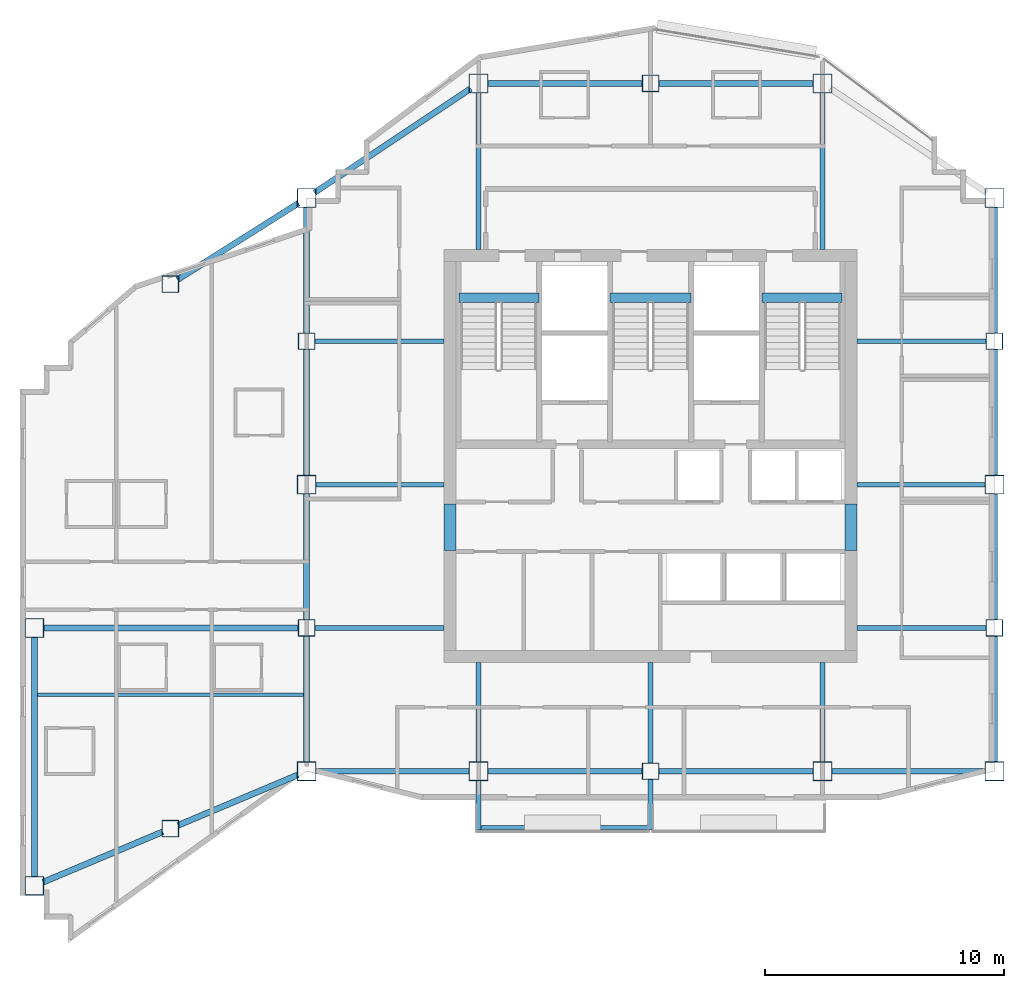
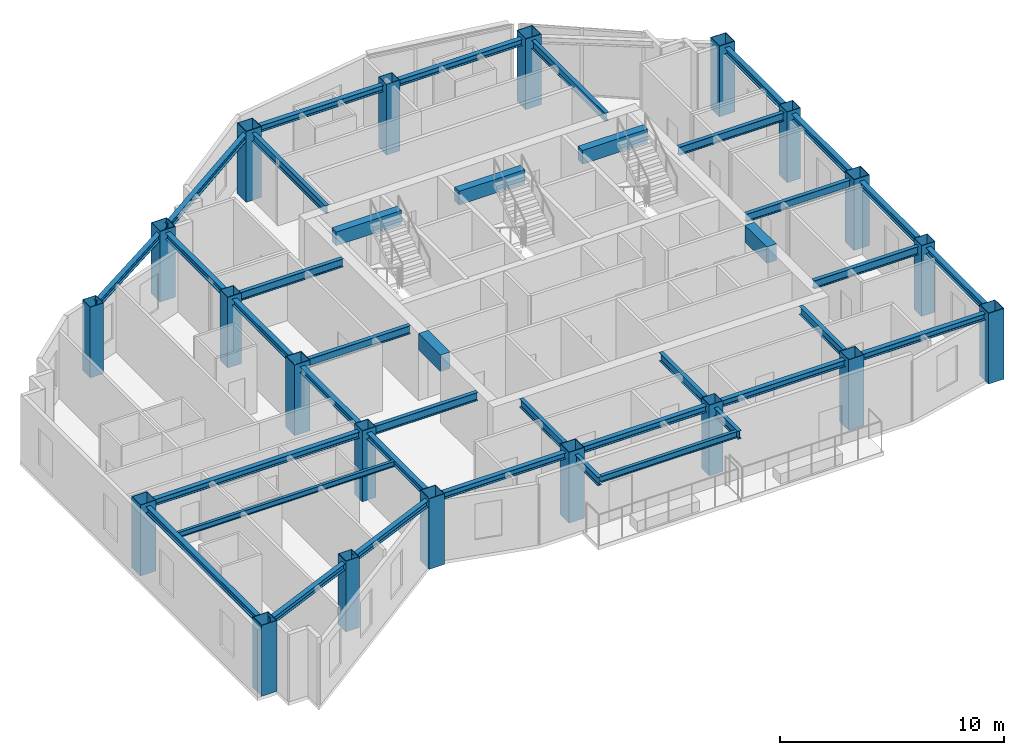
# One storey, part 1 of 11: 40 beams, 20 columns.
"""IFC4 building model written with IfcOpenShell, lengths in metres."""

from ifc_helpers import new_model, si_unit, direction, frame, origin, origin_2d, place, context, subcontext, project, spatial, rectangle, hollow_rectangle, i_section, extrude, material, material_profile, profile_set, type_object, element, save


model = new_model("IFC4")

# Units and contexts
model_context = context("Model", 3, precision=1e-05, world=origin(), true_north=direction((0.0, 1.0)))
body_context = subcontext(model_context, "Body", "Model", "MODEL_VIEW")
ifc_project = project(units=[si_unit("LENGTHUNIT", "METRE"), si_unit("AREAUNIT", "SQUARE_METRE"), si_unit("VOLUMEUNIT", "CUBIC_METRE"), si_unit("PLANEANGLEUNIT", "RADIAN"), si_unit("MASSUNIT", "GRAM", prefix="KILO")], contexts=[model_context])

# Site, building, storey
site_placement = place(None, origin())
site = spatial("IfcSite", under=ifc_project, at=site_placement, CompositionType="ELEMENT")
building_placement = place(site_placement, origin())
building = spatial("IfcBuilding", under=site, at=building_placement, Name="Haolan Belvedere Tower", CompositionType="ELEMENT")
storey_placement = place(building_placement, frame((0.0, 0.0, 250.60009765625)))
storey = spatial("IfcBuildingStorey", under=building, at=storey_placement, Name="L63", CompositionType="ELEMENT", Elevation=250.60009765625)

# Columns
ifc_material_1 = material(Name="Steel Q390GJC", Category="steel")
ifc_material_profile_1 = material_profile(ifc_material_1, hollow_rectangle(XDim=0.699951171875, YDim=0.699951171875, WallThickness=0.02587890625, at=origin_2d()), Name="Steel Q390GJC")
ifc_profile_set_1 = profile_set([ifc_material_profile_1], Name="Steel Q390GJC")
column_type_1 = type_object("IfcColumnType", Name="COL-BOX700x700x26", PredefinedType="COLUMN", material=ifc_profile_set_1)
for number, where, z_axis, x_axis, name in (
    (1, (24.0, 27.60009765625, 0.0), (0.0, 0.0, 1.0), (1.0, 0.0, 0.0), "L63 column TC-T3-W1 (BOX700x700x26)"),
    (2, (24.0, 39.60009765625, 0.0), (0.0, 0.0, 1.0), (1.0, 0.0, 0.0), "L63 column TC-T3-W2 (BOX700x700x26)"),
    (3, (52.800048828125, 27.60009765625, 0.0), (0.0, 0.0, 1.0), (1.0, 0.0, 0.0), "L63 column TC-T3-E1 (BOX700x700x26)"),
    (4, (52.800048828125, 39.60009765625, 0.0), (0.0, 0.0, 1.0), (1.0, 0.0, 0.0), "L63 column TC-T3-E2 (BOX700x700x26)"),
    (5, (38.39990234375, 21.60009765625, 0.0), (0.0, 0.0, 1.0), (1.0, 0.0, 0.0), "L63 column TC-T3-SM (BOX700x700x26)"),
    (6, (38.39990234375, 50.39990234375, 0.0), (0.0, 0.0, 1.0), (1.0, 0.0, 0.0), "L63 column TC-T3-NM (BOX700x700x26)"),
    (7, (18.300048828125, 19.199951171875, 0.0), (0.0, 0.0, 1.0), (1.0, 0.0, 0.0), "L63 column TC-T2-S1 (BOX700x700x26)"),
    (8, (18.300048828125, 42.0, 0.0), (0.0, 0.0, 1.0), (1.0, 0.0, 0.0), "L63 column TC-T2-N1 (BOX700x700x26)"),
):
    element("IfcColumn", number, at=place(storey_placement, frame(where, z_axis=z_axis, x_axis=x_axis)), inside=storey, type_object=column_type_1, Name=name, PredefinedType="COLUMN", context=body_context, shape_type="SweptSolid", body=[
        extrude(hollow_rectangle(XDim=0.699951171875, YDim=0.699951171875, WallThickness=0.02587890625, at=origin_2d()), origin(), (0.0, 0.0, 1.0), 3.849853515625),
    ])
ifc_material_profile_2 = material_profile(ifc_material_1, hollow_rectangle(XDim=0.800048828125, YDim=0.800048828125, WallThickness=0.030029296875, at=origin_2d()), Name="Steel Q390GJC")
ifc_profile_set_2 = profile_set([ifc_material_profile_2], Name="Steel Q390GJC")
column_type_2 = type_object("IfcColumnType", Name="COL-BOX800x800x30", PredefinedType="COLUMN", material=ifc_profile_set_2)
for number, where, z_axis, x_axis, name in (
    (9, (24.0, 21.60009765625, 0.0), (0.0, 0.0, 1.0), (1.0, 0.0, 0.0), "L63 column MC-T3-SW (BOX800x800x30)"),
    (10, (24.0, 33.60009765625, 0.0), (0.0, 0.0, 1.0), (1.0, 0.0, 0.0), "L63 column MC-T3-MW (BOX800x800x30)"),
    (11, (24.0, 45.60009765625, 0.0), (0.0, 0.0, 1.0), (1.0, 0.0, 0.0), "L63 column MC-T3-NW (BOX800x800x30)"),
    (12, (52.800048828125, 21.60009765625, 0.0), (0.0, 0.0, 1.0), (1.0, 0.0, 0.0), "L63 column MC-T3-SE (BOX800x800x30)"),
    (13, (52.800048828125, 33.60009765625, 0.0), (0.0, 0.0, 1.0), (1.0, 0.0, 0.0), "L63 column MC-T3-ME (BOX800x800x30)"),
    (14, (52.800048828125, 45.60009765625, 0.0), (0.0, 0.0, 1.0), (1.0, 0.0, 0.0), "L63 column MC-T3-NE (BOX800x800x30)"),
    (15, (31.199951171875, 21.60009765625, 0.0), (0.0, 0.0, 1.0), (1.0, 0.0, 0.0), "L63 column MC-T3-S1 (BOX800x800x30)"),
    (16, (45.60009765625, 21.60009765625, 0.0), (0.0, 0.0, 1.0), (1.0, 0.0, 0.0), "L63 column MC-T3-S2 (BOX800x800x30)"),
    (17, (31.199951171875, 50.39990234375, 0.0), (0.0, 0.0, 1.0), (1.0, 0.0, 0.0), "L63 column MC-T3-N1 (BOX800x800x30)"),
    (18, (45.60009765625, 50.39990234375, 0.0), (0.0, 0.0, 1.0), (1.0, 0.0, 0.0), "L63 column MC-T3-N2 (BOX800x800x30)"),
    (19, (12.60009765625, 16.800048828125, 0.0), (0.0, 0.0, 1.0), (1.0, 0.0, 0.0), "L63 column MC-T2-SW (BOX800x800x30)"),
    (20, (12.60009765625, 27.60009765625, 0.0), (0.0, 0.0, 1.0), (1.0, 0.0, 0.0), "L63 column MC-T2-MW (BOX800x800x30)"),
):
    element("IfcColumn", number, at=place(storey_placement, frame(where, z_axis=z_axis, x_axis=x_axis)), inside=storey, type_object=column_type_2, Name=name, PredefinedType="COLUMN", context=body_context, shape_type="SweptSolid", body=[
        extrude(hollow_rectangle(XDim=0.800048828125, YDim=0.800048828125, WallThickness=0.030029296875, at=origin_2d()), origin(), (0.0, 0.0, 1.0), 3.849853515625),
    ])

# Beams
ifc_material_2 = material(Name="Steel Q355B", Category="steel")
ifc_material_profile_3 = material_profile(ifc_material_2, i_section(OverallWidth=0.25, OverallDepth=0.340087890625, WebThickness=0.009033203125, FlangeThickness=0.013916015625, FilletRadius=0.02001953125, at=origin_2d()), Name="Steel Q355B")
ifc_profile_set_3 = profile_set([ifc_material_profile_3], Name="Steel Q355B")
beam_type_1 = type_object("IfcBeamType", Name="BM-HM340x250x9x14", PredefinedType="SPANDREL", material=ifc_profile_set_3)
for number, where, z_axis, x_axis, name in (
    (21, (24.0, 22.0, 3.5), (0.0, 1.0, 0.0), (-1.0, 0.0, 0.0), "L63 spandrel girder MC-T3-SW-TC-T3-W1"),
    (22, (24.0, 27.949951171875, 3.5), (0.0, 1.0, 0.0), (-1.0, 0.0, 0.0), "L63 spandrel girder TC-T3-W1-MC-T3-MW"),
    (23, (24.0, 34.0, 3.5), (0.0, 1.0, 0.0), (-1.0, 0.0, 0.0), "L63 spandrel girder MC-T3-MW-TC-T3-W2"),
    (24, (24.0, 39.949951171875, 3.5), (0.0, 1.0, 0.0), (-1.0, 0.0, 0.0), "L63 spandrel girder TC-T3-W2-MC-T3-NW"),
    (25, (52.800048828125, 22.0, 3.5), (0.0, 1.0, 0.0), (-1.0, 0.0, 0.0), "L63 spandrel girder MC-T3-SE-TC-T3-E1"),
    (26, (52.800048828125, 27.949951171875, 3.5), (0.0, 1.0, 0.0), (-1.0, 0.0, 0.0), "L63 spandrel girder TC-T3-E1-MC-T3-ME"),
    (27, (52.800048828125, 34.0, 3.5), (0.0, 1.0, 0.0), (-1.0, 0.0, 0.0), "L63 spandrel girder MC-T3-ME-TC-T3-E2"),
    (28, (52.800048828125, 39.949951171875, 3.5), (0.0, 1.0, 0.0), (-1.0, 0.0, 0.0), "L63 spandrel girder TC-T3-E2-MC-T3-NE"),
):
    element("IfcBeam", number, at=place(storey_placement, frame(where, z_axis=z_axis, x_axis=x_axis)), inside=storey, type_object=beam_type_1, Name=name, PredefinedType="SPANDREL", context=body_context, shape_type="SweptSolid", body=[
        extrude(i_section(OverallWidth=0.25, OverallDepth=0.340087890625, WebThickness=0.009033203125, FlangeThickness=0.013916015625, FilletRadius=0.02001953125, at=origin_2d()), origin(), (0.0, 0.0, 1.0), 5.25),
    ])
beam_1_placement = place(storey_placement, frame((24.39990234375, 21.60009765625, 3.5), z_axis=(1.0, 0.0, 0.0), x_axis=(0.0, 1.0, 0.0)))
element("IfcBeam", 29, at=beam_1_placement, inside=storey, type_object=beam_type_1, Name="L63 spandrel girder MC-T3-SW-MC-T3-S1", PredefinedType="SPANDREL", context=body_context, shape_type="SweptSolid", body=[
    extrude(i_section(OverallWidth=0.25, OverallDepth=0.340087890625, WebThickness=0.009033203125, FlangeThickness=0.013916015625, FilletRadius=0.02001953125, at=origin_2d()), origin(), (0.0, 0.0, 1.0), 6.400146484375),
])
for number, where, z_axis, x_axis, name in (
    (30, (31.60009765625, 21.60009765625, 3.5), (1.0, 0.0, 0.0), (0.0, 1.0, 0.0), "L63 spandrel girder MC-T3-S1-TC-T3-SM"),
    (31, (38.75, 21.60009765625, 3.5), (1.0, 0.0, 0.0), (0.0, 1.0, 0.0), "L63 spandrel girder TC-T3-SM-MC-T3-S2"),
):
    element("IfcBeam", number, at=place(storey_placement, frame(where, z_axis=z_axis, x_axis=x_axis)), inside=storey, type_object=beam_type_1, Name=name, PredefinedType="SPANDREL", context=body_context, shape_type="SweptSolid", body=[
        extrude(i_section(OverallWidth=0.25, OverallDepth=0.340087890625, WebThickness=0.009033203125, FlangeThickness=0.013916015625, FilletRadius=0.02001953125, at=origin_2d()), origin(), (0.0, 0.0, 1.0), 6.449951171875),
    ])
beam_2_placement = place(storey_placement, frame((46.0, 21.60009765625, 3.5), z_axis=(1.0, 0.0, 0.0), x_axis=(0.0, 1.0, 0.0)))
element("IfcBeam", 32, at=beam_2_placement, inside=storey, type_object=beam_type_1, Name="L63 spandrel girder MC-T3-S2-MC-T3-SE", PredefinedType="SPANDREL", context=body_context, shape_type="SweptSolid", body=[
    extrude(i_section(OverallWidth=0.25, OverallDepth=0.340087890625, WebThickness=0.009033203125, FlangeThickness=0.013916015625, FilletRadius=0.02001953125, at=origin_2d()), origin(), (0.0, 0.0, 1.0), 6.39990234375),
])
beam_3_placement = place(storey_placement, frame((24.332763671875, 45.82177734375, 3.5), z_axis=(0.832040729016, 0.55471454394, 0.0), x_axis=(-0.55471454394, 0.832040729016, 0.0)))
element("IfcBeam", 33, at=beam_3_placement, inside=storey, type_object=beam_type_1, Name="L63 spandrel girder MC-T3-NW-MC-T3-N1", PredefinedType="SPANDREL", context=body_context, shape_type="SweptSolid", body=[
    extrude(i_section(OverallWidth=0.25, OverallDepth=0.340087890625, WebThickness=0.009033203125, FlangeThickness=0.013916015625, FilletRadius=0.02001953125, at=origin_2d()), origin(), (0.0, 0.0, 1.0), 7.853515625),
])
for number, where, z_axis, x_axis, name in (
    (34, (31.60009765625, 50.39990234375, 3.5), (1.0, 0.0, 0.0), (0.0, 1.0, 0.0), "L63 spandrel girder MC-T3-N1-TC-T3-NM"),
    (35, (38.75, 50.39990234375, 3.5), (1.0, 0.0, 0.0), (0.0, 1.0, 0.0), "L63 spandrel girder TC-T3-NM-MC-T3-N2"),
):
    element("IfcBeam", number, at=place(storey_placement, frame(where, z_axis=z_axis, x_axis=x_axis)), inside=storey, type_object=beam_type_1, Name=name, PredefinedType="SPANDREL", context=body_context, shape_type="SweptSolid", body=[
        extrude(i_section(OverallWidth=0.25, OverallDepth=0.340087890625, WebThickness=0.009033203125, FlangeThickness=0.013916015625, FilletRadius=0.02001953125, at=origin_2d()), origin(), (0.0, 0.0, 1.0), 6.449951171875),
    ])
beam_4_placement = place(storey_placement, frame((12.60009765625, 17.199951171875, 3.5), z_axis=(0.0, 1.0, 0.0), x_axis=(-1.0, 0.0, 0.0)))
element("IfcBeam", 36, at=beam_4_placement, inside=storey, type_object=beam_type_1, Name="L63 spandrel girder MC-T2-SW-MC-T2-MW", PredefinedType="SPANDREL", context=body_context, shape_type="SweptSolid", body=[
    extrude(i_section(OverallWidth=0.25, OverallDepth=0.340087890625, WebThickness=0.009033203125, FlangeThickness=0.013916015625, FilletRadius=0.02001953125, at=origin_2d()), origin(), (0.0, 0.0, 1.0), 10.0),
])
for number, where, z_axis, x_axis, name in (
    (37, (12.96875, 16.955322265625, 3.5), (0.921640448717, 0.388044950088, 0.0), (-0.388044950088, 0.921640448717, 0.0), "L63 spandrel girder MC-T2-SW-TC-T2-S1"),
    (38, (18.62255859375, 19.3359375, 3.5), (0.921640448717, 0.388044950088, 0.0), (-0.388044950088, 0.921640448717, 0.0), "L63 spandrel girder TC-T2-S1-MC-T3-SW"),
):
    element("IfcBeam", number, at=place(storey_placement, frame(where, z_axis=z_axis, x_axis=x_axis)), inside=storey, type_object=beam_type_1, Name=name, PredefinedType="SPANDREL", context=body_context, shape_type="SweptSolid", body=[
        extrude(i_section(OverallWidth=0.25, OverallDepth=0.340087890625, WebThickness=0.009033203125, FlangeThickness=0.013916015625, FilletRadius=0.02001953125, at=origin_2d()), origin(), (0.0, 0.0, 1.0), 5.4345703125),
    ])
beam_5_placement = place(storey_placement, frame((18.595947265625, 42.18701171875, 3.5), z_axis=(0.845493744187, 0.533985326148, 0.0), x_axis=(-0.533985326148, 0.845493744187, 0.0)))
element("IfcBeam", 39, at=beam_5_placement, inside=storey, type_object=beam_type_1, Name="L63 spandrel girder TC-T2-N1-MC-T3-NW", PredefinedType="SPANDREL", context=body_context, shape_type="SweptSolid", body=[
    extrude(i_section(OverallWidth=0.25, OverallDepth=0.340087890625, WebThickness=0.009033203125, FlangeThickness=0.013916015625, FilletRadius=0.02001953125, at=origin_2d()), origin(), (0.0, 0.0, 1.0), 5.99169921875),
])
beam_6_placement = place(storey_placement, frame((13.0, 27.60009765625, 3.5), z_axis=(1.0, 0.0, 0.0), x_axis=(0.0, 1.0, 0.0)))
element("IfcBeam", 40, at=beam_6_placement, inside=storey, type_object=beam_type_1, Name="L63 spandrel girder MC-T2-MW-TC-T3-W1", PredefinedType="SPANDREL", context=body_context, shape_type="SweptSolid", body=[
    extrude(i_section(OverallWidth=0.25, OverallDepth=0.340087890625, WebThickness=0.009033203125, FlangeThickness=0.013916015625, FilletRadius=0.02001953125, at=origin_2d()), origin(), (0.0, 0.0, 1.0), 10.64990234375),
])
ifc_material_profile_4 = material_profile(ifc_material_2, i_section(OverallWidth=0.14990234375, OverallDepth=0.300048828125, WebThickness=0.006591796875, FlangeThickness=0.009033203125, FilletRadius=0.012939453125, at=origin_2d()), Name="Steel Q355B")
ifc_profile_set_4 = profile_set([ifc_material_profile_4], Name="Steel Q355B")
beam_type_2 = type_object("IfcBeamType", Name="BM-HN300x150x6.5x9", PredefinedType="JOIST", material=ifc_profile_set_4)
beam_7_placement = place(storey_placement, frame((12.72509765625, 24.800048828125, 3.52001953125), z_axis=(1.0, 0.0, 0.0), x_axis=(0.0, 1.0, 0.0)))
element("IfcBeam", 41, at=beam_7_placement, inside=storey, type_object=beam_type_2, Name="L63 west wing floor joist 1", PredefinedType="JOIST", context=body_context, shape_type="SweptSolid", body=[
    extrude(i_section(OverallWidth=0.14990234375, OverallDepth=0.300048828125, WebThickness=0.006591796875, FlangeThickness=0.009033203125, FilletRadius=0.012939453125, at=origin_2d()), origin(), (0.0, 0.0, 1.0), 11.14990234375),
])
ifc_material_profile_5 = material_profile(ifc_material_2, i_section(OverallWidth=0.175048828125, OverallDepth=0.35009765625, WebThickness=0.007080078125, FlangeThickness=0.010986328125, FilletRadius=0.012939453125, at=origin_2d()), Name="Steel Q355B")
ifc_profile_set_5 = profile_set([ifc_material_profile_5], Name="Steel Q355B")
beam_type_3 = type_object("IfcBeamType", Name="BM-HN350x175x7x11", PredefinedType="JOIST", material=ifc_profile_set_5)
beam_8_placement = place(storey_placement, frame((31.300048828125, 19.239990234375, 3.44482421875), z_axis=(1.0, 0.0, 0.0), x_axis=(0.0, 1.0, 0.0)))
element("IfcBeam", 42, at=beam_8_placement, inside=storey, type_object=beam_type_3, Name="L64 tree-balcony front trimmer beam 1", PredefinedType="BEAM", context=body_context, shape_type="SweptSolid", body=[
    extrude(i_section(OverallWidth=0.175048828125, OverallDepth=0.35009765625, WebThickness=0.007080078125, FlangeThickness=0.010986328125, FilletRadius=0.012939453125, at=origin_2d()), origin(), (0.0, 0.0, 1.0), 7.0),
])
ifc_material_profile_6 = material_profile(ifc_material_2, i_section(OverallWidth=0.199951171875, OverallDepth=0.449951171875, WebThickness=0.009033203125, FlangeThickness=0.013916015625, FilletRadius=0.01611328125, at=origin_2d()), Name="Steel Q355B")
ifc_profile_set_6 = profile_set([ifc_material_profile_6], Name="Steel Q355B")
beam_type_4 = type_object("IfcBeamType", Name="BM-HN450x200x9x14", PredefinedType="BEAM", material=ifc_profile_set_6)
beam_9_placement = place(storey_placement, frame((24.39990234375, 33.60009765625, 3.44482421875), z_axis=(1.0, 0.0, 0.0), x_axis=(0.0, 1.0, 0.0)))
element("IfcBeam", 43, at=beam_9_placement, inside=storey, type_object=beam_type_4, Name="L63 core tie beam from MC-T3-MW", PredefinedType="BEAM", context=body_context, shape_type="SweptSolid", body=[
    extrude(i_section(OverallWidth=0.199951171875, OverallDepth=0.449951171875, WebThickness=0.009033203125, FlangeThickness=0.013916015625, FilletRadius=0.01611328125, at=origin_2d()), origin(), (0.0, 0.0, 1.0), 5.35009765625),
])
for number, where, z_axis, x_axis, name in (
    (44, (24.35009765625, 27.60009765625, 3.44482421875), (1.0, 0.0, 0.0), (0.0, 1.0, 0.0), "L63 core tie beam from TC-T3-W1"),
    (45, (24.35009765625, 39.60009765625, 3.44482421875), (1.0, 0.0, 0.0), (0.0, 1.0, 0.0), "L63 core tie beam from TC-T3-W2"),
):
    element("IfcBeam", number, at=place(storey_placement, frame(where, z_axis=z_axis, x_axis=x_axis)), inside=storey, type_object=beam_type_4, Name=name, PredefinedType="BEAM", context=body_context, shape_type="SweptSolid", body=[
        extrude(i_section(OverallWidth=0.199951171875, OverallDepth=0.449951171875, WebThickness=0.009033203125, FlangeThickness=0.013916015625, FilletRadius=0.01611328125, at=origin_2d()), origin(), (0.0, 0.0, 1.0), 5.39990234375),
    ])
beam_10_placement = place(storey_placement, frame((52.39990234375, 33.60009765625, 3.44482421875), z_axis=(-1.0, 0.0, 0.0), x_axis=(0.0, -1.0, 0.0)))
element("IfcBeam", 46, at=beam_10_placement, inside=storey, type_object=beam_type_4, Name="L63 core tie beam from MC-T3-ME", PredefinedType="BEAM", context=body_context, shape_type="SweptSolid", body=[
    extrude(i_section(OverallWidth=0.199951171875, OverallDepth=0.449951171875, WebThickness=0.009033203125, FlangeThickness=0.013916015625, FilletRadius=0.01611328125, at=origin_2d()), origin(), (0.0, 0.0, 1.0), 5.349853515625),
])
for number, where, z_axis, x_axis, name in (
    (47, (52.449951171875, 27.60009765625, 3.44482421875), (-1.0, 0.0, 0.0), (0.0, -1.0, 0.0), "L63 core tie beam from TC-T3-E1"),
    (48, (52.449951171875, 39.60009765625, 3.44482421875), (-1.0, 0.0, 0.0), (0.0, -1.0, 0.0), "L63 core tie beam from TC-T3-E2"),
):
    element("IfcBeam", number, at=place(storey_placement, frame(where, z_axis=z_axis, x_axis=x_axis)), inside=storey, type_object=beam_type_4, Name=name, PredefinedType="BEAM", context=body_context, shape_type="SweptSolid", body=[
        extrude(i_section(OverallWidth=0.199951171875, OverallDepth=0.449951171875, WebThickness=0.009033203125, FlangeThickness=0.013916015625, FilletRadius=0.01611328125, at=origin_2d()), origin(), (0.0, 0.0, 1.0), 5.39990234375),
    ])
beam_11_placement = place(storey_placement, frame((31.199951171875, 22.0, 3.44482421875), z_axis=(0.0, 1.0, 0.0), x_axis=(-1.0, 0.0, 0.0)))
element("IfcBeam", 49, at=beam_11_placement, inside=storey, type_object=beam_type_4, Name="L63 core tie beam from MC-T3-S1", PredefinedType="BEAM", context=body_context, shape_type="SweptSolid", body=[
    extrude(i_section(OverallWidth=0.199951171875, OverallDepth=0.449951171875, WebThickness=0.009033203125, FlangeThickness=0.013916015625, FilletRadius=0.01611328125, at=origin_2d()), origin(), (0.0, 0.0, 1.0), 4.14990234375),
])
beam_12_placement = place(storey_placement, frame((38.39990234375, 21.949951171875, 3.44482421875), z_axis=(0.0, 1.0, 0.0), x_axis=(-1.0, 0.0, 0.0)))
element("IfcBeam", 50, at=beam_12_placement, inside=storey, type_object=beam_type_4, Name="L63 core tie beam from TC-T3-SM", PredefinedType="BEAM", context=body_context, shape_type="SweptSolid", body=[
    extrude(i_section(OverallWidth=0.199951171875, OverallDepth=0.449951171875, WebThickness=0.009033203125, FlangeThickness=0.013916015625, FilletRadius=0.01611328125, at=origin_2d()), origin(), (0.0, 0.0, 1.0), 4.199951171875),
])
beam_13_placement = place(storey_placement, frame((45.60009765625, 22.0, 3.44482421875), z_axis=(0.0, 1.0, 0.0), x_axis=(-1.0, 0.0, 0.0)))
element("IfcBeam", 51, at=beam_13_placement, inside=storey, type_object=beam_type_4, Name="L63 core tie beam from MC-T3-S2", PredefinedType="BEAM", context=body_context, shape_type="SweptSolid", body=[
    extrude(i_section(OverallWidth=0.199951171875, OverallDepth=0.449951171875, WebThickness=0.009033203125, FlangeThickness=0.013916015625, FilletRadius=0.01611328125, at=origin_2d()), origin(), (0.0, 0.0, 1.0), 4.14990234375),
])
for number, where, z_axis, x_axis, name in (
    (52, (31.199951171875, 50.0, 3.44482421875), (0.0, -1.0, 0.0), (1.0, 0.0, 0.0), "L63 core tie beam from MC-T3-N1"),
    (53, (45.60009765625, 50.0, 3.44482421875), (0.0, -1.0, 0.0), (1.0, 0.0, 0.0), "L63 core tie beam from MC-T3-N2"),
):
    element("IfcBeam", number, at=place(storey_placement, frame(where, z_axis=z_axis, x_axis=x_axis)), inside=storey, type_object=beam_type_4, Name=name, PredefinedType="BEAM", context=body_context, shape_type="SweptSolid", body=[
        extrude(i_section(OverallWidth=0.199951171875, OverallDepth=0.449951171875, WebThickness=0.009033203125, FlangeThickness=0.013916015625, FilletRadius=0.01611328125, at=origin_2d()), origin(), (0.0, 0.0, 1.0), 6.550048828125),
    ])
beam_14_placement = place(storey_placement, frame((31.199951171875, 21.199951171875, 3.39501953125), z_axis=(0.0, -1.0, 0.0), x_axis=(1.0, 0.0, 0.0)))
element("IfcBeam", 54, at=beam_14_placement, inside=storey, type_object=beam_type_4, Name="L64 tree-balcony column cantilever MC-T3-S1", PredefinedType="BEAM", context=body_context, shape_type="SweptSolid", body=[
    extrude(i_section(OverallWidth=0.199951171875, OverallDepth=0.449951171875, WebThickness=0.009033203125, FlangeThickness=0.013916015625, FilletRadius=0.01611328125, at=origin_2d()), origin(), (0.0, 0.0, 1.0), 2.06005859375),
])
beam_15_placement = place(storey_placement, frame((38.39990234375, 21.25, 3.39501953125), z_axis=(0.0, -1.0, 0.0), x_axis=(1.0, 0.0, 0.0)))
element("IfcBeam", 55, at=beam_15_placement, inside=storey, type_object=beam_type_4, Name="L64 tree-balcony column cantilever TC-T3-SM", PredefinedType="BEAM", context=body_context, shape_type="SweptSolid", body=[
    extrude(i_section(OverallWidth=0.199951171875, OverallDepth=0.449951171875, WebThickness=0.009033203125, FlangeThickness=0.013916015625, FilletRadius=0.01611328125, at=origin_2d()), origin(), (0.0, 0.0, 1.0), 2.110107421875),
])
ifc_material_3 = material(Name="Concrete C50/60", Category="concrete")
ifc_material_profile_7 = material_profile(ifc_material_3, rectangle(XDim=0.39990234375, YDim=0.75, at=origin_2d()), Name="Concrete C50/60")
ifc_profile_set_7 = profile_set([ifc_material_profile_7], Name="Concrete C50/60")
beam_type_5 = type_object("IfcBeamType", Name="BM-RC400x750", PredefinedType="T_BEAM", material=ifc_profile_set_7)
beam_16_placement = place(storey_placement, frame((30.3798828125, 41.429931640625, 3.474853515625), z_axis=(1.0, 0.0, 0.0), x_axis=(0.0, 1.0, 0.0)))
element("IfcBeam", 56, at=beam_16_placement, inside=storey, type_object=beam_type_5, Name="L64 stair ST1 RC header trimmer beam", PredefinedType="BEAM", context=body_context, shape_type="SweptSolid", body=[
    extrude(rectangle(XDim=0.39990234375, YDim=0.75, at=origin_2d()), origin(), (0.0, 0.0, 1.0), 3.360107421875),
])
beam_17_placement = place(storey_placement, frame((36.699951171875, 41.429931640625, 3.474853515625), z_axis=(1.0, 0.0, 0.0), x_axis=(0.0, 1.0, 0.0)))
element("IfcBeam", 57, at=beam_17_placement, inside=storey, type_object=beam_type_5, Name="L64 stair ST3 RC header trimmer beam", PredefinedType="BEAM", context=body_context, shape_type="SweptSolid", body=[
    extrude(rectangle(XDim=0.39990234375, YDim=0.75, at=origin_2d()), origin(), (0.0, 0.0, 1.0), 3.400146484375),
])
beam_18_placement = place(storey_placement, frame((43.06005859375, 41.429931640625, 3.474853515625), z_axis=(1.0, 0.0, 0.0), x_axis=(0.0, 1.0, 0.0)))
element("IfcBeam", 58, at=beam_18_placement, inside=storey, type_object=beam_type_5, Name="L64 stair ST2 RC header trimmer beam", PredefinedType="BEAM", context=body_context, shape_type="SweptSolid", body=[
    extrude(rectangle(XDim=0.39990234375, YDim=0.75, at=origin_2d()), origin(), (0.0, 0.0, 1.0), 3.35986328125),
])
ifc_material_4 = material(Name="Concrete C60/75", Category="concrete")
ifc_material_profile_8 = material_profile(ifc_material_4, rectangle(XDim=0.5, YDim=0.89990234375, at=origin_2d()), Name="Concrete C60/75")
ifc_profile_set_8 = profile_set([ifc_material_profile_8], Name="Concrete C60/75")
beam_type_6 = type_object("IfcBeamType", Name="BM-RC500x900", PredefinedType="LINTEL", material=ifc_profile_set_8)
for number, where, z_axis, x_axis, name in (
    (59, (30.0, 30.85009765625, 3.219970703125), (0.0, 1.0, 0.0), (-1.0, 0.0, 0.0), "L63 west core coupling beam CB-01"),
    (60, (46.800048828125, 30.85009765625, 3.219970703125), (0.0, 1.0, 0.0), (-1.0, 0.0, 0.0), "L63 east core coupling beam CB-01"),
):
    element("IfcBeam", number, at=place(storey_placement, frame(where, z_axis=z_axis, x_axis=x_axis)), inside=storey, type_object=beam_type_6, Name=name, PredefinedType="LINTEL", context=body_context, shape_type="SweptSolid", body=[
        extrude(rectangle(XDim=0.5, YDim=0.89990234375, at=origin_2d()), origin(), (0.0, 0.0, 1.0), 1.949951171875),
    ])

save(model, "model.ifc")
